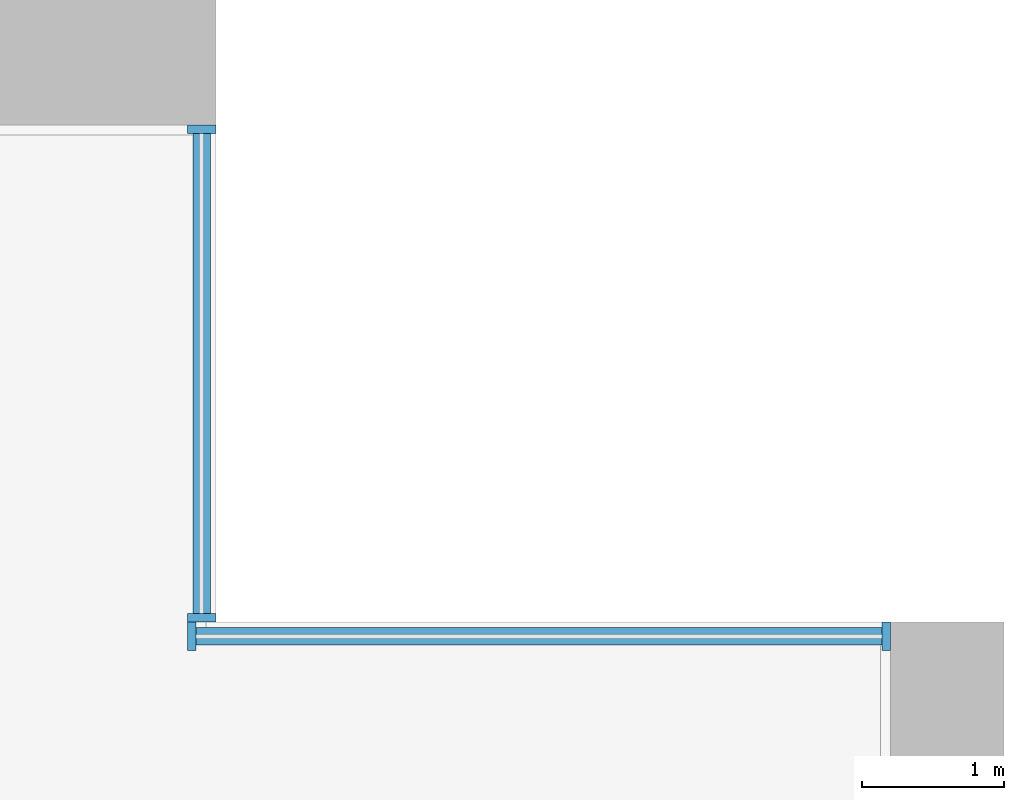
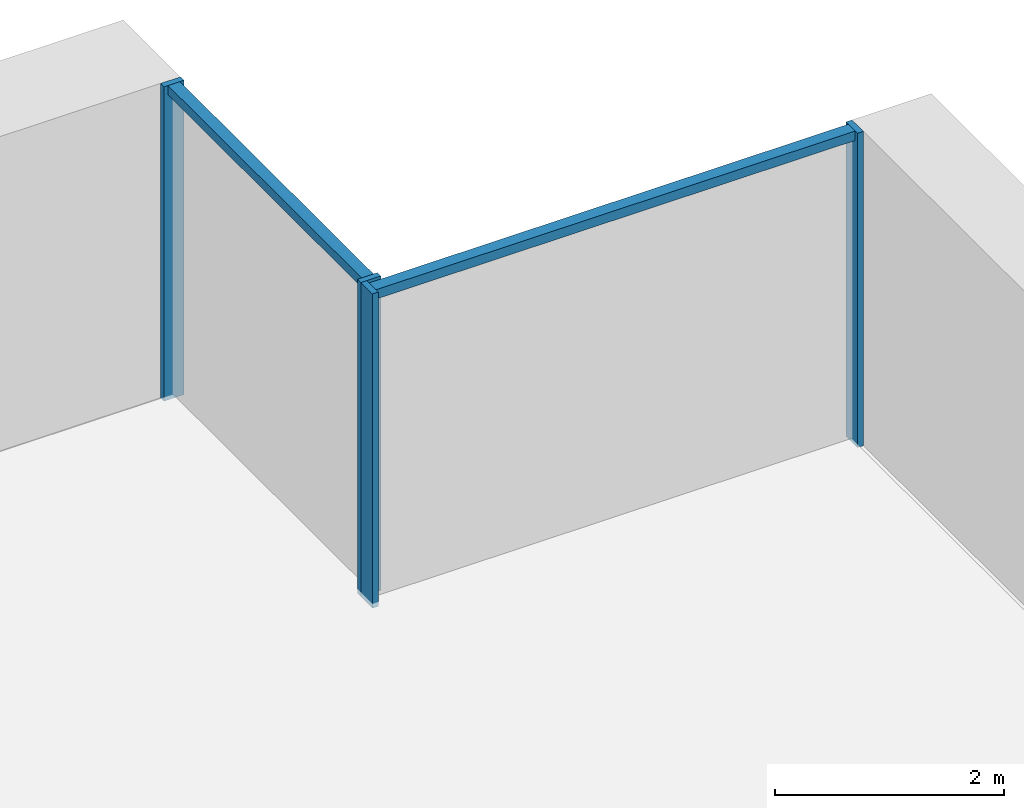
# One storey, part 6 of 17: 6 members, 2 elements without a shape of their own.
"""IFC4 building model written with IfcOpenShell, lengths in metres."""

import ifcopenshell
import ifcopenshell.guid

model = None  # the IFC model being written
_history = None  # IfcOwnerHistory: only IFC2X3 demands one
_inside = {}  # id of a spatial element -> (the spatial element, [elements in it])
_under = {}  # id of a project, library or spatial element -> (it, [spatial elements below it])
_declared = {}  # id of a project -> (the project, [libraries it declares])
_typed = {}  # id of a type object -> (the type object, [elements of that type])
_made_of = {}  # id of a material, layer set ... -> (it, [elements and type objects made of it])


def new_model(schema):
    """Start an empty IFC model of exactly this schema.

    Asked for "IFC4X3", IfcOpenShell would pick the latest addendum, in which some entities
    have other attributes; the version numbers below select the first issue.
    IFC2X3 requires an IfcOwnerHistory on every rooted entity: one is made here for all.
    """
    global model, _history
    if schema == "IFC4X3":
        model = ifcopenshell.file(schema_version=(4, 3, 0, 0))
    else:
        model = ifcopenshell.file(schema=schema)
    _inside.clear()
    _under.clear()
    _declared.clear()
    _typed.clear()
    _made_of.clear()
    _history = None
    if model.schema == "IFC2X3":
        org = make("IfcOrganization", Name="unknown")
        user = make(
            "IfcPersonAndOrganization",
            ThePerson=make("IfcPerson", FamilyName="unknown"),
            TheOrganization=org,
        )
        app = make(
            "IfcApplication",
            ApplicationDeveloper=org,
            Version="unknown",
            ApplicationFullName="unknown",
            ApplicationIdentifier="unknown",
        )
        _history = make(
            "IfcOwnerHistory",
            OwningUser=user,
            OwningApplication=app,
            ChangeAction="ADDED",
            CreationDate=0,
        )
    return model


def make(cls, **values):
    """One entity of the class cls with the attributes given. An attribute that is None is left unset."""
    return model.create_entity(
        cls, **{name: value for name, value in values.items() if value is not None}
    )


def rooted(cls, **values):
    """An entity with a GlobalId (a new one), such as an element, a storey or a relation."""
    return make(cls, GlobalId=ifcopenshell.guid.new(), OwnerHistory=_history, **values)


def si_unit(unit_type, name, prefix=None):
    """IfcSIUnit, for example si_unit("LENGTHUNIT", "METRE", prefix="MILLI")."""
    return make("IfcSIUnit", UnitType=unit_type, Prefix=prefix, Name=name)


def assignment(units):
    """IfcUnitAssignment: the units of a project."""
    return None if units is None else make("IfcUnitAssignment", Units=units)


def point(xyz):
    """IfcCartesianPoint."""
    return None if xyz is None else make("IfcCartesianPoint", Coordinates=xyz)


def direction(xyz):
    """IfcDirection."""
    return None if xyz is None else make("IfcDirection", DirectionRatios=xyz)


def frame(location, z_axis=None, x_axis=None):
    """IfcAxis2Placement3D, a coordinate frame: its origin and axes. An axis left out is left unset."""
    return make(
        "IfcAxis2Placement3D",
        Location=point(location),
        Axis=direction(z_axis),
        RefDirection=direction(x_axis),
    )


def frame_2d(location, x_axis=None):
    """IfcAxis2Placement2D, a coordinate frame in the plane: its origin and x axis."""
    return make(
        "IfcAxis2Placement2D", Location=point(location), RefDirection=direction(x_axis)
    )


def origin():
    """The frame at (0, 0, 0) with its axes left unset."""
    return frame((0.0, 0.0, 0.0))


def origin_2d():
    """The frame at (0, 0) in the plane with its x axis left unset."""
    return frame_2d((0.0, 0.0))


def place(relative_to, where):
    """IfcLocalPlacement: puts the frame where relative to a parent placement (None: the world)."""
    return make(
        "IfcLocalPlacement", PlacementRelTo=relative_to, RelativePlacement=where
    )


def context(
    kind, dimensions, precision=None, world=None, true_north=None, identifier=None
):
    """IfcGeometricRepresentationContext, for example the 3D "Model" context."""
    return make(
        "IfcGeometricRepresentationContext",
        ContextIdentifier=identifier,
        ContextType=kind,
        CoordinateSpaceDimension=dimensions,
        Precision=precision,
        WorldCoordinateSystem=world,
        TrueNorth=true_north,
    )


def subcontext(parent, identifier, kind, view, scale=None):
    """IfcGeometricRepresentationSubContext, for example "Body" below "Model"."""
    return make(
        "IfcGeometricRepresentationSubContext",
        ContextIdentifier=identifier,
        ContextType=kind,
        ParentContext=parent,
        TargetScale=scale,
        TargetView=view,
    )


def project(units=None, contexts=None):
    """IfcProject with its units and contexts."""
    return rooted(
        "IfcProject",
        Name="project",
        RepresentationContexts=contexts,
        UnitsInContext=assignment(units),
    )


def spatial(cls, under=None, at=None, **own):
    """A site, building, storey or space (cls), placed at a placement, below another one or the project."""
    s = rooted(cls, ObjectPlacement=at, **own)
    if under is not None:
        _under.setdefault(under.id(), (under, []))[1].append(s)
    return s


def profile(cls, at=None, kind="AREA", **sizes):
    """A parametric profile (cls). Its sizes go by their IFC names, for example OverallWidth=200.0."""
    return make(cls, ProfileType=kind, Position=at, **sizes)


def rectangle(**sizes):
    """IfcRectangleProfileDef."""
    return profile("IfcRectangleProfileDef", **sizes)


def extrude(swept, where, along, depth):
    """IfcExtrudedAreaSolid: the profile swept, set in the frame where, extruded along a direction by depth."""
    return make(
        "IfcExtrudedAreaSolid",
        SweptArea=swept,
        Position=where,
        ExtrudedDirection=direction(along),
        Depth=depth,
    )


def shape(context_of_items, identifier, shape_type, items):
    """IfcShapeRepresentation: the items that make up one representation, for example the "Body"."""
    return make(
        "IfcShapeRepresentation",
        ContextOfItems=context_of_items,
        RepresentationIdentifier=identifier,
        RepresentationType=shape_type,
        Items=items,
    )


def material(Name=None, Category=None):
    """IfcMaterial."""
    return make("IfcMaterial", Name=Name, Category=Category)


def material_profile(
    of_material, cross_section, Name=None, Category=None, Priority=None
):
    """IfcMaterialProfile: a cross section and its material."""
    return make(
        "IfcMaterialProfile",
        Name=Name,
        Material=of_material,
        Profile=cross_section,
        Priority=Priority,
        Category=Category,
    )


def profile_set(profiles, Name=None, composite=None):
    """IfcMaterialProfileSet."""
    return make(
        "IfcMaterialProfileSet",
        Name=Name,
        MaterialProfiles=profiles,
        CompositeProfile=composite,
    )


def made_of(thing, what):
    """Note that an element or type object is made of a material, layer set ...; save() writes the relation."""
    if what is not None:
        _made_of.setdefault(what.id(), (what, []))[1].append(thing)
    return thing


def type_object(cls, material=None, **own):
    """A type object (cls), such as IfcWallType, which elements share."""
    return made_of(rooted(cls, **own), material)


def element(
    cls,
    number,
    at=None,
    inside=None,
    cuts=None,
    type_object=None,
    material=None,
    context=None,
    identifier="Body",
    shape_type=None,
    held_by="IfcProductDefinitionShape",
    body=None,
    shapes=None,
    **own,
):
    """One element of the class cls, such as IfcWall. Its Tag is "e" and its number.

    at: its placement. inside: the storey or other place that contains it. cuts: it is an
    opening in that element (IfcRelVoidsElement). A single representation is given by context,
    identifier, shape_type and body (its items); several are given by shapes. held_by: the class
    of the entity that holds the representations. save() writes the other relations.
    """
    e = rooted(cls, Tag="e%d" % number, ObjectPlacement=at, **own)
    if body is not None:
        shapes = [shape(context, identifier, shape_type, body)]
    if shapes is not None:
        e.Representation = make(held_by, Representations=shapes)
    if inside is not None:
        _inside.setdefault(inside.id(), (inside, []))[1].append(e)
    if cuts is not None:
        rooted(
            "IfcRelVoidsElement", RelatingBuildingElement=cuts, RelatedOpeningElement=e
        )
    if type_object is not None:
        _typed.setdefault(type_object.id(), (type_object, []))[1].append(e)
    return made_of(e, material)


def aggregate(whole, parts):
    """IfcRelAggregates: a whole, such as a stair, and the parts it consists of."""
    return rooted("IfcRelAggregates", RelatingObject=whole, RelatedObjects=parts)


def save(model, path):
    """Write the relations noted so far, then the file.

    IfcRelAggregates (storeys below a building ...), IfcRelContainedInSpatialStructure (elements
    in a storey), IfcRelDefinesByType, IfcRelAssociatesMaterial and IfcRelDeclares: one each for
    every whole, place, type object, material and project.
    """
    for whole, parts in _under.values():
        aggregate(whole, parts)
    for where, things in _inside.values():
        rooted(
            "IfcRelContainedInSpatialStructure",
            RelatedElements=things,
            RelatingStructure=where,
        )
    for kind, things in _typed.values():
        rooted("IfcRelDefinesByType", RelatedObjects=things, RelatingType=kind)
    for what, things in _made_of.values():
        rooted("IfcRelAssociatesMaterial", RelatedObjects=things, RelatingMaterial=what)
    for by, libraries in _declared.values():
        rooted("IfcRelDeclares", RelatingContext=by, RelatedDefinitions=libraries)
    model.write(path)


model = new_model("IFC4")

# Units and contexts
model_context = context("Model", 3, precision=1e-05, world=origin(), true_north=direction((0.0, 1.0)))
body_context = subcontext(model_context, "Body", "Model", "MODEL_VIEW")
ifc_project = project(units=[si_unit("LENGTHUNIT", "METRE"), si_unit("AREAUNIT", "SQUARE_METRE"), si_unit("VOLUMEUNIT", "CUBIC_METRE"), si_unit("PLANEANGLEUNIT", "RADIAN"), si_unit("MASSUNIT", "GRAM", prefix="KILO")], contexts=[model_context])

# Site, building, storey
site_placement = place(None, origin())
site = spatial("IfcSite", under=ifc_project, at=site_placement, CompositionType="ELEMENT")
building_placement = place(site_placement, origin())
building = spatial("IfcBuilding", under=site, at=building_placement, Name="Calvaro Tower", CompositionType="ELEMENT")
storey_placement = place(building_placement, frame((0.0, 0.0, 75.0)))
storey = spatial("IfcBuildingStorey", under=building, at=storey_placement, Name="L18", CompositionType="ELEMENT", Elevation=75.0)

# Curtain wall, members
ifc_material_1 = material(Name="Anodised aluminium", Category="aluminium")
curtain_wall_type = type_object("IfcCurtainWallType", Name="Office curtain wall, lower zone", PredefinedType="NOTDEFINED", material=ifc_material_1)
curtain_wall_1_placement = place(storey_placement, origin())
curtain_wall_1 = element("IfcCurtainWall", 1, at=curtain_wall_1_placement, inside=storey, type_object=curtain_wall_type, Name="CW1 corner curtain wall", PredefinedType="NOTDEFINED")
ifc_material_2 = material(Name="Anodised aluminium", Category="aluminium")
ifc_material_profile_1 = material_profile(ifc_material_2, rectangle(XDim=0.199951171875, YDim=0.06005859375, at=origin_2d()), Name="Mullion S1 60 x 200")
ifc_profile_set_1 = profile_set([ifc_material_profile_1], Name="Anodised aluminium")
member_type_1 = type_object("IfcMemberType", Name="Mullion S1 60 x 200", PredefinedType="MULLION", material=ifc_profile_set_1)
member_1_placement = place(storey_placement, frame((72.35009765625, 41.530029296875, 0.0), z_axis=(0.0, 0.0, 1.0), x_axis=(-1.0, 0.0, 0.0)))
member_1 = element("IfcMember", 2, at=member_1_placement, type_object=member_type_1, Name="CW1 mullion 1", PredefinedType="MULLION", context=body_context, shape_type="SweptSolid", body=[
    extrude(rectangle(XDim=0.199951171875, YDim=0.06005859375, at=origin_2d()), origin(), (0.0, 0.0, 1.0), 3.35009765625),
])
member_2_placement = place(storey_placement, frame((72.35009765625, 44.969970703125, 0.0), z_axis=(0.0, 0.0, 1.0), x_axis=(-1.0, 0.0, 0.0)))
member_2 = element("IfcMember", 3, at=member_2_placement, type_object=member_type_1, Name="CW1 mullion 2", PredefinedType="MULLION", context=body_context, shape_type="SweptSolid", body=[
    extrude(rectangle(XDim=0.199951171875, YDim=0.06005859375, at=origin_2d()), origin(), (0.0, 0.0, 1.0), 3.35009765625),
])

curtain_wall_2_placement = place(storey_placement, origin())
curtain_wall_2 = element("IfcCurtainWall", 4, at=curtain_wall_2_placement, inside=storey, type_object=curtain_wall_type, Name="CW1 corner curtain wall", PredefinedType="NOTDEFINED")
member_3_placement = place(storey_placement, frame((72.280029296875, 41.39990234375, 0.0), z_axis=(0.0, 0.0, 1.0), x_axis=(0.0, 1.0, 0.0)))
member_3 = element("IfcMember", 5, at=member_3_placement, type_object=member_type_1, Name="CW1 mullion 1", PredefinedType="MULLION", context=body_context, shape_type="SweptSolid", body=[
    extrude(rectangle(XDim=0.199951171875, YDim=0.06005859375, at=origin_2d()), origin(), (0.0, 0.0, 1.0), 3.35009765625),
])
member_4_placement = place(storey_placement, frame((77.169921875, 41.39990234375, 0.0), z_axis=(0.0, 0.0, 1.0), x_axis=(0.0, 1.0, 0.0)))
member_4 = element("IfcMember", 6, at=member_4_placement, type_object=member_type_1, Name="CW1 mullion 2", PredefinedType="MULLION", context=body_context, shape_type="SweptSolid", body=[
    extrude(rectangle(XDim=0.199951171875, YDim=0.06005859375, at=origin_2d()), origin(), (0.0, 0.0, 1.0), 3.35009765625),
])

# Member
ifc_material_3 = material(Name="Anodised aluminium", Category="aluminium")
ifc_material_profile_2 = material_profile(ifc_material_3, rectangle(XDim=0.1201171875, YDim=0.10009765625, at=origin_2d()), Name="Transom S1 100 x 120")
ifc_profile_set_2 = profile_set([ifc_material_profile_2], Name="Anodised aluminium")
member_type_2 = type_object("IfcMemberType", Name="Transom S1 100 x 120", PredefinedType="USERDEFINED", material=ifc_profile_set_2)
member_5_placement = place(storey_placement, frame((72.35009765625, 41.56005859375, 3.300048828125), z_axis=(0.0, 1.0, 0.0), x_axis=(-1.0, 0.0, 0.0)))
member_5 = element("IfcMember", 7, at=member_5_placement, type_object=member_type_2, Name="CW1 transom 1.1", ObjectType="TRANSOM", PredefinedType="USERDEFINED", context=body_context, shape_type="SweptSolid", body=[
    extrude(rectangle(XDim=0.1201171875, YDim=0.10009765625, at=origin_2d()), origin(), (0.0, 0.0, 1.0), 3.3798828125),
])

aggregate(curtain_wall_1, [member_1, member_2, member_5])

member_6_placement = place(storey_placement, frame((72.31005859375, 41.39990234375, 3.300048828125), z_axis=(1.0, 0.0, 0.0), x_axis=(0.0, 1.0, 0.0)))
member_6 = element("IfcMember", 8, at=member_6_placement, type_object=member_type_2, Name="CW1 transom 1.1", ObjectType="TRANSOM", PredefinedType="USERDEFINED", context=body_context, shape_type="SweptSolid", body=[
    extrude(rectangle(XDim=0.1201171875, YDim=0.10009765625, at=origin_2d()), origin(), (0.0, 0.0, 1.0), 4.829833984375),
])

aggregate(curtain_wall_2, [member_3, member_4, member_6])

save(model, "model.ifc")
